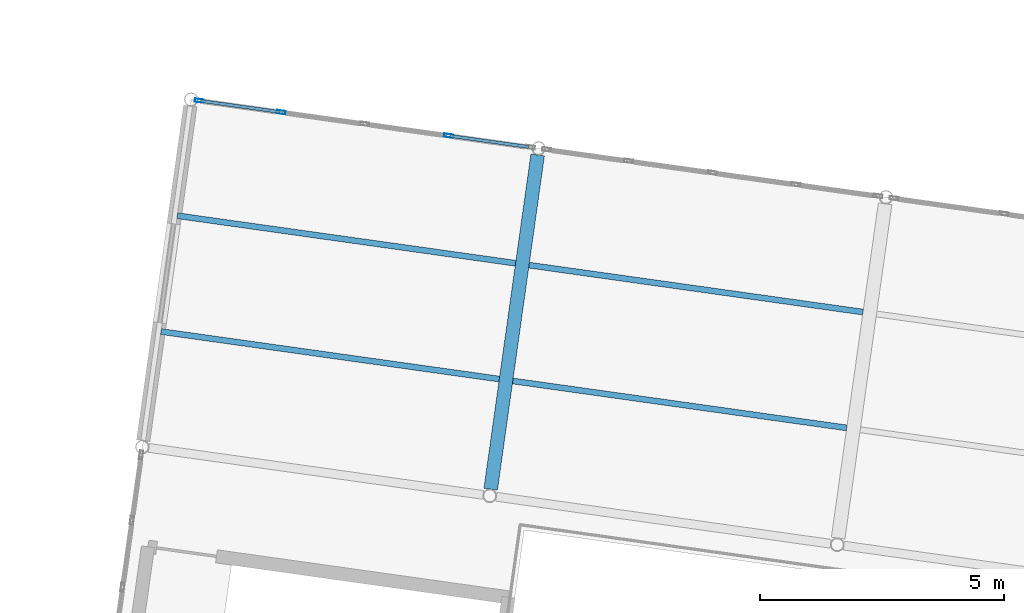
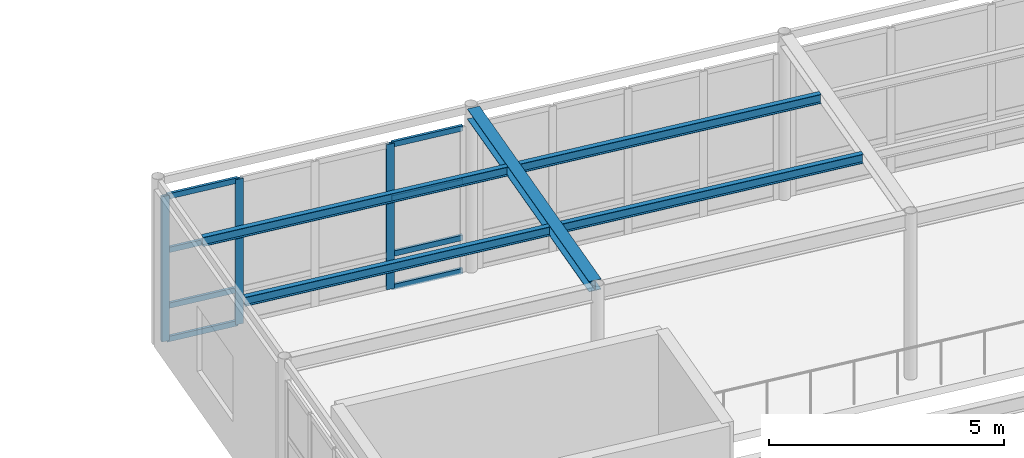
# One storey, part 27 of 67: 11 members, 5 beams, 1 element without a shape of its own.
"""IFC4 building model written with IfcOpenShell, lengths in metres."""

from ifc_helpers import new_model, si_unit, direction, frame, origin, origin_2d, place, context, subcontext, project, spatial, hollow_rectangle, i_section, extrude, material, layer, layer_set, material_profile, profile_set, type_object, element, aggregate, save


model = new_model("IFC4")

# Units and contexts
model_context = context("Model", 3, precision=1e-05, world=origin(), true_north=direction((0.0, 1.0)))
body_context = subcontext(model_context, "Body", "Model", "MODEL_VIEW")
ifc_project = project(units=[si_unit("LENGTHUNIT", "METRE"), si_unit("AREAUNIT", "SQUARE_METRE"), si_unit("VOLUMEUNIT", "CUBIC_METRE"), si_unit("PLANEANGLEUNIT", "RADIAN"), si_unit("MASSUNIT", "GRAM", prefix="KILO")], contexts=[model_context])

# Site, building, storey
site_placement = place(None, origin())
site = spatial("IfcSite", under=ifc_project, at=site_placement, CompositionType="ELEMENT")
building_placement = place(site_placement, origin())
building = spatial("IfcBuilding", under=site, at=building_placement, Name="Kharisveld Research Institute", CompositionType="ELEMENT")
storey_placement = place(building_placement, frame((0.0, 0.0, 9.60009765625)))
storey = spatial("IfcBuildingStorey", under=building, at=storey_placement, Name="L02", CompositionType="ELEMENT", Elevation=9.60009765625)

# Beam
ifc_material_1 = material(Name="Steel S355JR", Category="steel")
ifc_material_profile_1 = material_profile(ifc_material_1, i_section(OverallWidth=0.280029296875, OverallDepth=0.27001953125, WebThickness=0.008056640625, FlangeThickness=0.012939453125, at=origin_2d()))
ifc_profile_set_1 = profile_set([ifc_material_profile_1], Name="Steel S355JR")
beam_type_1 = type_object("IfcBeamType", Name="BM_ST_HEA280", PredefinedType="BEAM", material=ifc_profile_set_1)
beam_1_placement = place(storey_placement, frame((84.153076171875, 30.89306640625, 4.169921875), z_axis=(0.139180848611, 0.990266979849, 0.0), x_axis=(-0.990266979849, 0.139180848611, 0.0)))
element("IfcBeam", 1, at=beam_1_placement, inside=storey, type_object=beam_type_1, Name="BM:V4:L02:V1_2", PredefinedType="BEAM", context=body_context, shape_type="SweptSolid", body=[
    extrude(i_section(OverallWidth=0.280029296875, OverallDepth=0.27001953125, WebThickness=0.008056640625, FlangeThickness=0.012939453125, at=origin_2d()), origin(), (0.0, 0.0, 1.0), 6.927001953125),
])

# Curtain wall, members
ifc_material_2 = material(Name="Thermally Broken Aluminium Curtain Wall", Category="aluminium")
ifc_layer = layer(ifc_material_2, 0.159912109375)
ifc_layer_set = layer_set([ifc_layer], Name="CW_SYS_04")
curtain_wall_type = type_object("IfcCurtainWallType", Name="CW_SYS_04", PredefinedType="NOTDEFINED", material=ifc_layer_set)
curtain_wall_placement = place(storey_placement, origin())
curtain_wall = element("IfcCurtainWall", 2, at=curtain_wall_placement, inside=storey, type_object=curtain_wall_type, Name="CW:V4:L02:N0", PredefinedType="NOTDEFINED")
ifc_material_3 = material(Name="Anodised Aluminium AW-6063-T6", Category="aluminium")
ifc_material_profile_2 = material_profile(ifc_material_3, hollow_rectangle(XDim=0.070068359375, YDim=0.179931640625, WallThickness=0.00439453125, at=origin_2d()))
ifc_profile_set_2 = profile_set([ifc_material_profile_2], Name="Anodised Aluminium AW-6063-T6")
member_type_1 = type_object("IfcMemberType", Name="CW_MUL_180", PredefinedType="MULLION", material=ifc_profile_set_2)
member_1_placement = place(storey_placement, frame((78.1708984375, 38.86669921875, 0.0), z_axis=(0.0, 0.0, 1.0), x_axis=(0.139173120957, 0.990268065931, 0.0)))
member_1 = element("IfcMember", 3, at=member_1_placement, type_object=member_type_1, Name="CW-04 mullion 1", PredefinedType="MULLION", context=body_context, shape_type="SweptSolid", body=[
    extrude(hollow_rectangle(XDim=0.070068359375, YDim=0.179931640625, WallThickness=0.00439453125, at=origin_2d()), origin(), (0.0, 0.0, 1.0), 3.77978515625),
])
member_2_placement = place(storey_placement, frame((79.853759765625, 38.630126953125, 0.0), z_axis=(0.0, 0.0, 1.0), x_axis=(0.139173120957, 0.990268065931, 0.0)))
member_2 = element("IfcMember", 4, at=member_2_placement, type_object=member_type_1, Name="CW-04 mullion 2", PredefinedType="MULLION", context=body_context, shape_type="SweptSolid", body=[
    extrude(hollow_rectangle(XDim=0.070068359375, YDim=0.179931640625, WallThickness=0.00439453125, at=origin_2d()), origin(), (0.0, 0.0, 1.0), 3.77978515625),
])
member_3_placement = place(storey_placement, frame((83.28857421875, 38.1474609375, 0.0), z_axis=(0.0, 0.0, 1.0), x_axis=(0.139173120957, 0.990268065931, 0.0)))
member_3 = element("IfcMember", 5, at=member_3_placement, type_object=member_type_1, Name="CW-04 mullion 4", PredefinedType="MULLION", context=body_context, shape_type="SweptSolid", body=[
    extrude(hollow_rectangle(XDim=0.070068359375, YDim=0.179931640625, WallThickness=0.00439453125, at=origin_2d()), origin(), (0.0, 0.0, 1.0), 3.77978515625),
])
ifc_material_4 = material(Name="Anodised Aluminium AW-6063-T6", Category="aluminium")
ifc_material_profile_3 = material_profile(ifc_material_4, hollow_rectangle(XDim=0.06494140625, YDim=0.139892578125, WallThickness=0.00390625, at=origin_2d()))
ifc_profile_set_3 = profile_set([ifc_material_profile_3], Name="Anodised Aluminium AW-6063-T6")
member_type_2 = type_object("IfcMemberType", Name="CW_TRN_140", PredefinedType="USERDEFINED", material=ifc_profile_set_3)
member_4_placement = place(storey_placement, frame((78.20556640625, 38.86181640625, 0.032470703125), z_axis=(0.99026464829, -0.139197436566, 0.0), x_axis=(0.139197436566, 0.99026464829, 0.0)))
member_4 = element("IfcMember", 6, at=member_4_placement, type_object=member_type_2, Name="CW-04 transom 1.1", ObjectType="TRANSOM", PredefinedType="USERDEFINED", context=body_context, shape_type="SweptSolid", body=[
    extrude(hollow_rectangle(XDim=0.06494140625, YDim=0.139892578125, WallThickness=0.00390625, at=origin_2d()), origin(), (0.0, 0.0, 1.0), 1.62939453125),
])
member_5_placement = place(storey_placement, frame((78.20556640625, 38.86181640625, 0.89990234375), z_axis=(0.99026464829, -0.139197436566, 0.0), x_axis=(0.139197436566, 0.99026464829, 0.0)))
member_5 = element("IfcMember", 7, at=member_5_placement, type_object=member_type_2, Name="CW-04 transom 1.2", ObjectType="TRANSOM", PredefinedType="USERDEFINED", context=body_context, shape_type="SweptSolid", body=[
    extrude(hollow_rectangle(XDim=0.06494140625, YDim=0.139892578125, WallThickness=0.00390625, at=origin_2d()), origin(), (0.0, 0.0, 1.0), 1.62939453125),
])
member_6_placement = place(storey_placement, frame((78.20556640625, 38.86181640625, 2.349853515625), z_axis=(0.99026464829, -0.139197436566, 0.0), x_axis=(0.139197436566, 0.99026464829, 0.0)))
member_6 = element("IfcMember", 8, at=member_6_placement, type_object=member_type_2, Name="CW-04 transom 1.3", ObjectType="TRANSOM", PredefinedType="USERDEFINED", context=body_context, shape_type="SweptSolid", body=[
    extrude(hollow_rectangle(XDim=0.06494140625, YDim=0.139892578125, WallThickness=0.00390625, at=origin_2d()), origin(), (0.0, 0.0, 1.0), 1.62939453125),
])
member_7_placement = place(storey_placement, frame((78.20556640625, 38.86181640625, 3.747314453125), z_axis=(0.99026464829, -0.139197436566, 0.0), x_axis=(0.139197436566, 0.99026464829, 0.0)))
member_7 = element("IfcMember", 9, at=member_7_placement, type_object=member_type_2, Name="CW-04 transom 1.4", ObjectType="TRANSOM", PredefinedType="USERDEFINED", context=body_context, shape_type="SweptSolid", body=[
    extrude(hollow_rectangle(XDim=0.06494140625, YDim=0.139892578125, WallThickness=0.00390625, at=origin_2d()), origin(), (0.0, 0.0, 1.0), 1.62939453125),
])
member_8_placement = place(storey_placement, frame((83.3232421875, 38.142578125, 0.032470703125), z_axis=(0.990261744437, -0.139218093308, 0.0), x_axis=(0.139218093308, 0.990261744437, 0.0)))
member_8 = element("IfcMember", 10, at=member_8_placement, type_object=member_type_2, Name="CW-04 transom 4.1", ObjectType="TRANSOM", PredefinedType="USERDEFINED", context=body_context, shape_type="SweptSolid", body=[
    extrude(hollow_rectangle(XDim=0.06494140625, YDim=0.139892578125, WallThickness=0.00390625, at=origin_2d()), origin(), (0.0, 0.0, 1.0), 1.629150390625),
])
member_9_placement = place(storey_placement, frame((83.3232421875, 38.142578125, 0.89990234375), z_axis=(0.990261744437, -0.139218093308, 0.0), x_axis=(0.139218093308, 0.990261744437, 0.0)))
member_9 = element("IfcMember", 11, at=member_9_placement, type_object=member_type_2, Name="CW-04 transom 4.2", ObjectType="TRANSOM", PredefinedType="USERDEFINED", context=body_context, shape_type="SweptSolid", body=[
    extrude(hollow_rectangle(XDim=0.06494140625, YDim=0.139892578125, WallThickness=0.00390625, at=origin_2d()), origin(), (0.0, 0.0, 1.0), 1.629150390625),
])
member_10_placement = place(storey_placement, frame((83.3232421875, 38.142578125, 2.349853515625), z_axis=(0.990261744437, -0.139218093308, 0.0), x_axis=(0.139218093308, 0.990261744437, 0.0)))
member_10 = element("IfcMember", 12, at=member_10_placement, type_object=member_type_2, Name="CW-04 transom 4.3", ObjectType="TRANSOM", PredefinedType="USERDEFINED", context=body_context, shape_type="SweptSolid", body=[
    extrude(hollow_rectangle(XDim=0.06494140625, YDim=0.139892578125, WallThickness=0.00390625, at=origin_2d()), origin(), (0.0, 0.0, 1.0), 1.629150390625),
])
member_11_placement = place(storey_placement, frame((83.3232421875, 38.142578125, 3.747314453125), z_axis=(0.990261744437, -0.139218093308, 0.0), x_axis=(0.139218093308, 0.990261744437, 0.0)))
member_11 = element("IfcMember", 13, at=member_11_placement, type_object=member_type_2, Name="CW-04 transom 4.4", ObjectType="TRANSOM", PredefinedType="USERDEFINED", context=body_context, shape_type="SweptSolid", body=[
    extrude(hollow_rectangle(XDim=0.06494140625, YDim=0.139892578125, WallThickness=0.00390625, at=origin_2d()), origin(), (0.0, 0.0, 1.0), 1.629150390625),
])
aggregate(curtain_wall, [member_1, member_2, member_3, member_4, member_5, member_6, member_7, member_8, member_9, member_10, member_11])

# Beams
ifc_material_5 = material(Name="Steel S355JR", Category="steel")
ifc_material_profile_4 = material_profile(ifc_material_5, i_section(OverallWidth=0.1201171875, OverallDepth=0.239990234375, WebThickness=0.006103515625, FlangeThickness=0.009765625, at=origin_2d()))
ifc_profile_set_4 = profile_set([ifc_material_profile_4], Name="Steel S355JR")
beam_type_2 = type_object("IfcBeamType", Name="JS_ST_IPE240", PredefinedType="JOIST", material=ifc_profile_set_4)
for number, where, z_axis, x_axis, name in (
    (14, (77.3876953125, 34.129638671875, 4.184814453125), (0.990268056996, -0.139173184531, 0.0), (0.139173184531, 0.990268056996, 0.0), "BM:V4:L02:J_0_2_R1"),
    (15, (77.7216796875, 36.506103515625, 4.184814453125), (0.990268056996, -0.139173184531, 0.0), (0.139173184531, 0.990268056996, 0.0), "BM:V4:L02:J_0_2_R2"),
):
    element("IfcBeam", number, at=place(storey_placement, frame(where, z_axis=z_axis, x_axis=x_axis)), inside=storey, type_object=beam_type_2, Name=name, PredefinedType="JOIST", context=body_context, shape_type="SweptSolid", body=[
        extrude(i_section(OverallWidth=0.1201171875, OverallDepth=0.239990234375, WebThickness=0.006103515625, FlangeThickness=0.009765625, at=origin_2d()), origin(), (0.0, 0.0, 1.0), 7.009765625),
    ])
beam_2_placement = place(storey_placement, frame((84.606689453125, 33.114990234375, 4.184814453125), z_axis=(0.990266610695, -0.139183475103, 0.0), x_axis=(0.139183475103, 0.990266610695, 0.0)))
element("IfcBeam", 16, at=beam_2_placement, inside=storey, type_object=beam_type_2, Name="BM:V4:L02:J_1_2_R1", PredefinedType="JOIST", context=body_context, shape_type="SweptSolid", body=[
    extrude(i_section(OverallWidth=0.1201171875, OverallDepth=0.239990234375, WebThickness=0.006103515625, FlangeThickness=0.009765625, at=origin_2d()), origin(), (0.0, 0.0, 1.0), 6.919921875),
])
beam_3_placement = place(storey_placement, frame((84.940673828125, 35.49169921875, 4.184814453125), z_axis=(0.990267294124, -0.139178612538, 0.0), x_axis=(0.139178612538, 0.990267294124, 0.0)))
element("IfcBeam", 17, at=beam_3_placement, inside=storey, type_object=beam_type_2, Name="BM:V4:L02:J_1_2_R2", PredefinedType="JOIST", context=body_context, shape_type="SweptSolid", body=[
    extrude(i_section(OverallWidth=0.1201171875, OverallDepth=0.239990234375, WebThickness=0.006103515625, FlangeThickness=0.009765625, at=origin_2d()), origin(), (0.0, 0.0, 1.0), 6.920166015625),
])

save(model, "model.ifc")
